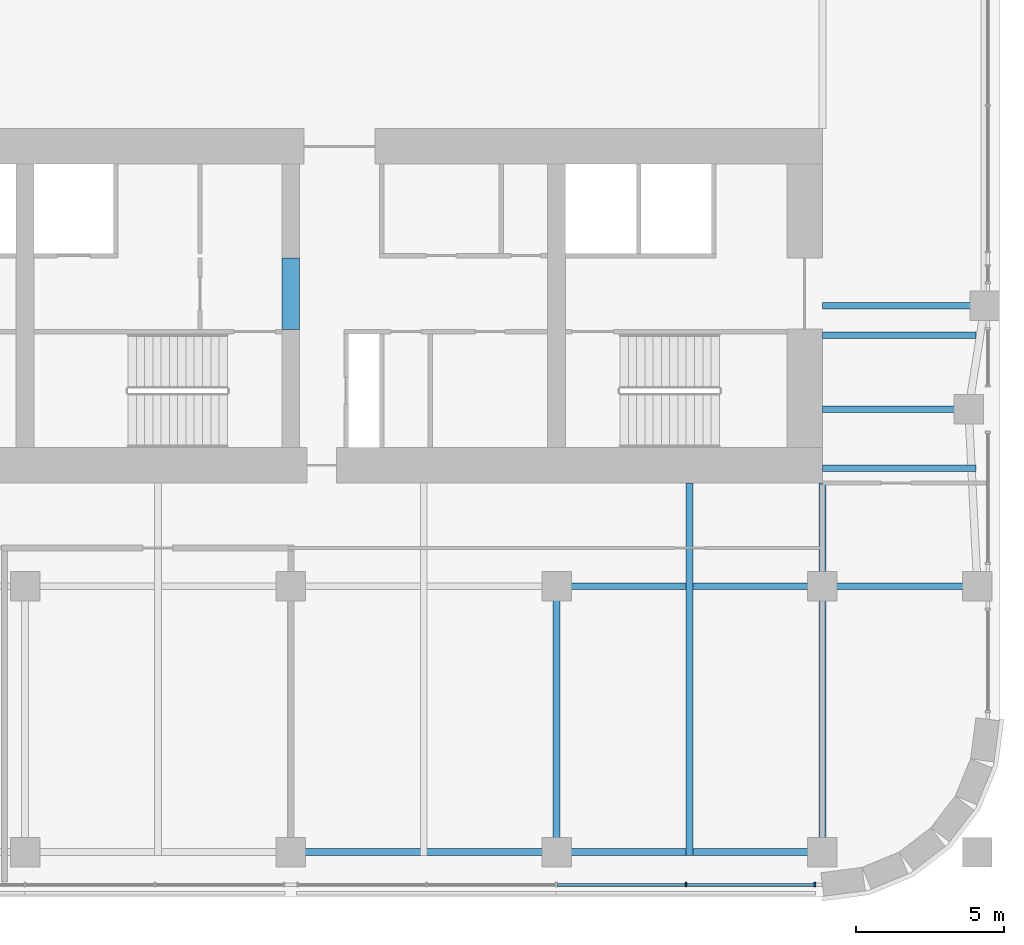
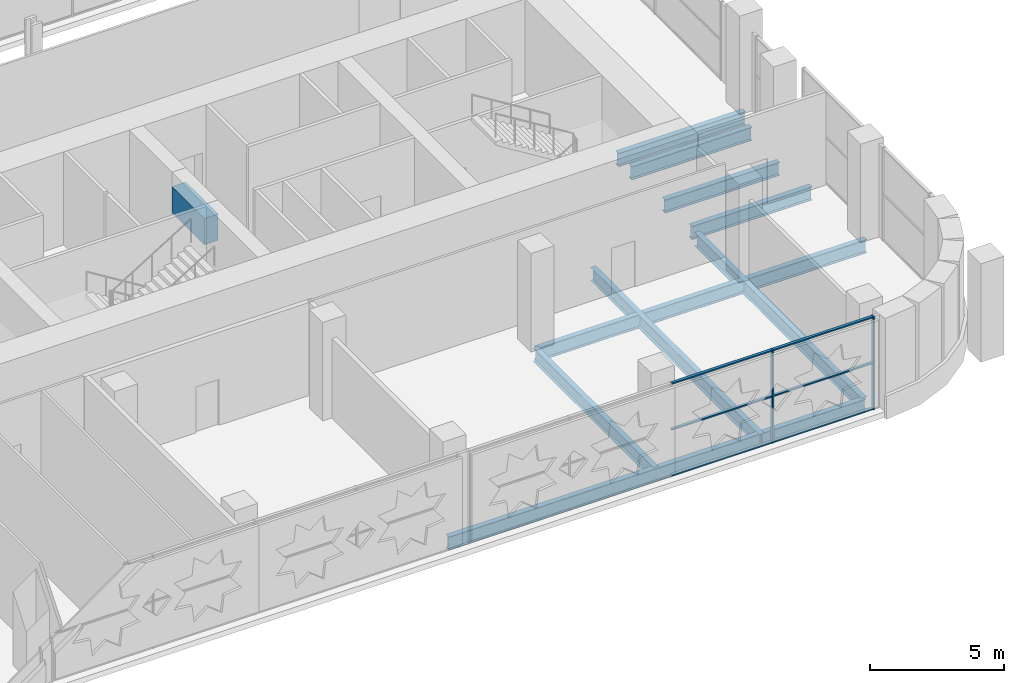
# One storey, part 6 of 21: 10 beams, 8 members, 1 element without a shape of its own.
"""IFC4 building model written with IfcOpenShell, lengths in metres."""

from ifc_helpers import new_model, si_unit, direction, frame, origin, origin_2d, place, context, subcontext, project, spatial, rectangle, i_section, extrude, material, material_profile, profile_set, type_object, element, aggregate, save


model = new_model("IFC4")

# Units and contexts
model_context = context("Model", 3, precision=1e-05, world=origin(), true_north=direction((0.0, 1.0)))
body_context = subcontext(model_context, "Body", "Model", "MODEL_VIEW")
ifc_project = project(units=[si_unit("LENGTHUNIT", "METRE"), si_unit("AREAUNIT", "SQUARE_METRE"), si_unit("VOLUMEUNIT", "CUBIC_METRE"), si_unit("PLANEANGLEUNIT", "RADIAN"), si_unit("MASSUNIT", "GRAM", prefix="KILO")], contexts=[model_context])

# Site, building, storey
site_placement = place(None, origin())
site = spatial("IfcSite", under=ifc_project, at=site_placement, CompositionType="ELEMENT")
building_placement = place(site_placement, origin())
building = spatial("IfcBuilding", under=site, at=building_placement, Name="Zellij Exchange Tower", CompositionType="ELEMENT")
storey_placement = place(building_placement, frame((0.0, 0.0, 43.5)))
storey = spatial("IfcBuildingStorey", under=building, at=storey_placement, Name="L07", CompositionType="ELEMENT", Elevation=43.5)

# Beam
ifc_material_1 = material(Name="Concrete C70/85", Category="concrete")
ifc_material_profile_1 = material_profile(ifc_material_1, rectangle(XDim=0.60009765625, YDim=1.199951171875, at=origin_2d()), Name="CORE-CB 600x1200 C70/85")
ifc_profile_set_1 = profile_set([ifc_material_profile_1], Name="Concrete C70/85")
beam_type_1 = type_object("IfcBeamType", Name="CORE-CB 600x1200 C70/85", PredefinedType="BEAM", material=ifc_profile_set_1)
beam_1_placement = place(storey_placement, frame((9.0, -8.800048828125, 3.0), z_axis=(0.0, 1.0, 0.0), x_axis=(-1.0, 0.0, 0.0)))
element("IfcBeam", 1, at=beam_1_placement, inside=storey, type_object=beam_type_1, Name="Core coupling beam x 9 L07", PredefinedType="BEAM", context=body_context, shape_type="SweptSolid", body=[
    extrude(rectangle(XDim=0.60009765625, YDim=1.199951171875, at=origin_2d()), origin(), (0.0, 0.0, 1.0), 2.425048828125),
])

# Curtain wall, members
ifc_material_2 = material(Name="Aluminium frame, clear insulating glass", Category="aluminium")
curtain_wall_type = type_object("IfcCurtainWallType", Name="ENV-CW1 Sky-garden glazing", PredefinedType="NOTDEFINED", material=ifc_material_2)
curtain_wall_placement = place(storey_placement, origin())
curtain_wall = element("IfcCurtainWall", 2, at=curtain_wall_placement, inside=storey, type_object=curtain_wall_type, Name="cw.L07.00c", PredefinedType="NOTDEFINED")
ifc_material_3 = material(Name="Aluminium", Category="aluminium")
ifc_material_profile_2 = material_profile(ifc_material_3, rectangle(XDim=0.06005859375, YDim=0.159912109375, at=origin_2d()), Name="AL 60x160")
ifc_profile_set_2 = profile_set([ifc_material_profile_2], Name="Aluminium")
member_type_1 = type_object("IfcMemberType", Name="ENV-CW1M Mullion 60x160", PredefinedType="MULLION", material=ifc_profile_set_2)
member_1_placement = place(storey_placement, frame((22.38037109375, -27.60009765625, 0.0), z_axis=(0.0, 0.0, 1.0), x_axis=(1.0, 0.0, 0.0)))
member_1 = element("IfcMember", 3, at=member_1_placement, type_object=member_type_1, Name="CW1 mullion 4", PredefinedType="MULLION", context=body_context, shape_type="SweptSolid", body=[
    extrude(rectangle(XDim=0.06005859375, YDim=0.159912109375, at=origin_2d()), origin(), (0.0, 0.0, 1.0), 4.25),
])
member_2_placement = place(storey_placement, frame((26.743896484375, -27.60009765625, 0.0), z_axis=(0.0, 0.0, 1.0), x_axis=(1.0, 0.0, 0.0)))
member_2 = element("IfcMember", 4, at=member_2_placement, type_object=member_type_1, Name="CW1 mullion 5", PredefinedType="MULLION", context=body_context, shape_type="SweptSolid", body=[
    extrude(rectangle(XDim=0.06005859375, YDim=0.159912109375, at=origin_2d()), origin(), (0.0, 0.0, 1.0), 4.25),
])
ifc_material_profile_3 = material_profile(ifc_material_3, rectangle(XDim=0.1201171875, YDim=0.06005859375, at=origin_2d()), Name="AL 120x60")
ifc_profile_set_3 = profile_set([ifc_material_profile_3], Name="Aluminium")
member_type_2 = type_object("IfcMemberType", Name="ENV-CW1T Transom 120x60", PredefinedType="USERDEFINED", material=ifc_profile_set_3)
member_3_placement = place(storey_placement, frame((18.016845703125, -27.60009765625, 0.030029296875), z_axis=(1.0, 0.0, 0.0), x_axis=(0.0, 1.0, 0.0)))
member_3 = element("IfcMember", 5, at=member_3_placement, type_object=member_type_2, Name="CW1 transom 3.1", ObjectType="TRANSOM", PredefinedType="USERDEFINED", context=body_context, shape_type="SweptSolid", body=[
    extrude(rectangle(XDim=0.1201171875, YDim=0.06005859375, at=origin_2d()), origin(), (0.0, 0.0, 1.0), 4.33349609375),
])
member_4_placement = place(storey_placement, frame((18.016845703125, -27.60009765625, 2.125), z_axis=(1.0, 0.0, 0.0), x_axis=(0.0, 1.0, 0.0)))
member_4 = element("IfcMember", 6, at=member_4_placement, type_object=member_type_2, Name="CW1 transom 3.2", ObjectType="TRANSOM", PredefinedType="USERDEFINED", context=body_context, shape_type="SweptSolid", body=[
    extrude(rectangle(XDim=0.1201171875, YDim=0.06005859375, at=origin_2d()), origin(), (0.0, 0.0, 1.0), 4.33349609375),
])
member_5_placement = place(storey_placement, frame((18.016845703125, -27.60009765625, 4.219970703125), z_axis=(1.0, 0.0, 0.0), x_axis=(0.0, 1.0, 0.0)))
member_5 = element("IfcMember", 7, at=member_5_placement, type_object=member_type_2, Name="CW1 transom 3.3", ObjectType="TRANSOM", PredefinedType="USERDEFINED", context=body_context, shape_type="SweptSolid", body=[
    extrude(rectangle(XDim=0.1201171875, YDim=0.06005859375, at=origin_2d()), origin(), (0.0, 0.0, 1.0), 4.33349609375),
])
member_6_placement = place(storey_placement, frame((22.410400390625, -27.60009765625, 0.030029296875), z_axis=(1.0, 0.0, 0.0), x_axis=(0.0, 1.0, 0.0)))
member_6 = element("IfcMember", 8, at=member_6_placement, type_object=member_type_2, Name="CW1 transom 4.1", ObjectType="TRANSOM", PredefinedType="USERDEFINED", context=body_context, shape_type="SweptSolid", body=[
    extrude(rectangle(XDim=0.1201171875, YDim=0.06005859375, at=origin_2d()), origin(), (0.0, 0.0, 1.0), 4.303466796875),
])
member_7_placement = place(storey_placement, frame((22.410400390625, -27.60009765625, 2.125), z_axis=(1.0, 0.0, 0.0), x_axis=(0.0, 1.0, 0.0)))
member_7 = element("IfcMember", 9, at=member_7_placement, type_object=member_type_2, Name="CW1 transom 4.2", ObjectType="TRANSOM", PredefinedType="USERDEFINED", context=body_context, shape_type="SweptSolid", body=[
    extrude(rectangle(XDim=0.1201171875, YDim=0.06005859375, at=origin_2d()), origin(), (0.0, 0.0, 1.0), 4.303466796875),
])
member_8_placement = place(storey_placement, frame((22.410400390625, -27.60009765625, 4.219970703125), z_axis=(1.0, 0.0, 0.0), x_axis=(0.0, 1.0, 0.0)))
member_8 = element("IfcMember", 10, at=member_8_placement, type_object=member_type_2, Name="CW1 transom 4.3", ObjectType="TRANSOM", PredefinedType="USERDEFINED", context=body_context, shape_type="SweptSolid", body=[
    extrude(rectangle(XDim=0.1201171875, YDim=0.06005859375, at=origin_2d()), origin(), (0.0, 0.0, 1.0), 4.303466796875),
])
aggregate(curtain_wall, [member_1, member_2, member_3, member_4, member_5, member_6, member_7, member_8])

# Beams
ifc_material_4 = material(Name="Structural steel ASTM A992 Gr 50", Category="steel")
ifc_material_profile_4 = material_profile(ifc_material_4, i_section(OverallWidth=0.22900390625, OverallDepth=0.612060546875, WebThickness=0.011962890625, FlangeThickness=0.01953125, at=origin_2d()), Name="W24x84")
ifc_profile_set_4 = profile_set([ifc_material_profile_4], Name="Structural steel ASTM A992 Gr 50")
beam_type_2 = type_object("IfcBeamType", Name="STR-BEAM W24x84", PredefinedType="BEAM", material=ifc_profile_set_4)
beam_2_placement = place(storey_placement, frame((22.5, -26.614501953125, -0.55615234375), z_axis=(0.0, 1.0, 0.0), x_axis=(-1.0, 0.0, 0.0)))
element("IfcBeam", 11, at=beam_2_placement, inside=storey, type_object=beam_type_2, Name="B6", PredefinedType="BEAM", context=body_context, shape_type="SweptSolid", body=[
    extrude(i_section(OverallWidth=0.22900390625, OverallDepth=0.612060546875, WebThickness=0.011962890625, FlangeThickness=0.01953125, at=origin_2d()), origin(), (0.0, 0.0, 1.0), 12.614501953125),
])
for number, where, z_axis, x_axis, name in (
    (12, (27.0, -13.5, -0.55615234375), (1.0, 0.0, 0.0), (0.0, 1.0, 0.0), "B6"),
    (13, (27.0, -9.0, -0.55615234375), (1.0, 0.0, 0.0), (0.0, 1.0, 0.0), "B6"),
):
    element("IfcBeam", number, at=place(storey_placement, frame(where, z_axis=z_axis, x_axis=x_axis)), inside=storey, type_object=beam_type_2, Name=name, PredefinedType="BEAM", context=body_context, shape_type="SweptSolid", body=[
        extrude(i_section(OverallWidth=0.22900390625, OverallDepth=0.612060546875, WebThickness=0.011962890625, FlangeThickness=0.01953125, at=origin_2d()), origin(), (0.0, 0.0, 1.0), 5.199951171875),
    ])
ifc_material_profile_5 = material_profile(ifc_material_4, i_section(OverallWidth=0.22900390625, OverallDepth=0.612060546875, WebThickness=0.011962890625, FlangeThickness=0.01953125, at=origin_2d()), Name="W24x84")
ifc_profile_set_5 = profile_set([ifc_material_profile_5], Name="Structural steel ASTM A992 Gr 50")
beam_type_3 = type_object("IfcBeamType", Name="STR-GIRDER W24x84", PredefinedType="BEAM", material=ifc_profile_set_5)
beam_3_placement = place(storey_placement, frame((9.0, -26.5, -0.55615234375), z_axis=(1.0, 0.0, 0.0), x_axis=(0.0, 1.0, 0.0)))
element("IfcBeam", 14, at=beam_3_placement, inside=storey, type_object=beam_type_3, Name="G4", PredefinedType="BEAM", context=body_context, shape_type="SweptSolid", body=[
    extrude(i_section(OverallWidth=0.22900390625, OverallDepth=0.612060546875, WebThickness=0.011962890625, FlangeThickness=0.01953125, at=origin_2d()), origin(), (0.0, 0.0, 1.0), 18.0),
])
beam_4_placement = place(storey_placement, frame((18.0, -17.5, -0.55615234375), z_axis=(1.0, 0.0, 0.0), x_axis=(0.0, 1.0, 0.0)))
element("IfcBeam", 15, at=beam_4_placement, inside=storey, type_object=beam_type_3, Name="G4", PredefinedType="BEAM", context=body_context, shape_type="SweptSolid", body=[
    extrude(i_section(OverallWidth=0.22900390625, OverallDepth=0.612060546875, WebThickness=0.011962890625, FlangeThickness=0.01953125, at=origin_2d()), origin(), (0.0, 0.0, 1.0), 14.25),
])
beam_5_placement = place(storey_placement, frame((27.0, -11.5, -0.55615234375), z_axis=(1.0, 0.0, 0.0), x_axis=(0.0, 1.0, 0.0)))
element("IfcBeam", 16, at=beam_5_placement, inside=storey, type_object=beam_type_3, Name="G4", PredefinedType="BEAM", context=body_context, shape_type="SweptSolid", body=[
    extrude(i_section(OverallWidth=0.22900390625, OverallDepth=0.612060546875, WebThickness=0.011962890625, FlangeThickness=0.01953125, at=origin_2d()), origin(), (0.0, 0.0, 1.0), 4.949951171875),
])
beam_6_placement = place(storey_placement, frame((27.0, -8.0, -0.55615234375), z_axis=(1.0, 0.0, 0.0), x_axis=(0.0, 1.0, 0.0)))
element("IfcBeam", 17, at=beam_6_placement, inside=storey, type_object=beam_type_3, Name="G4", PredefinedType="BEAM", context=body_context, shape_type="SweptSolid", body=[
    extrude(i_section(OverallWidth=0.22900390625, OverallDepth=0.612060546875, WebThickness=0.011962890625, FlangeThickness=0.01953125, at=origin_2d()), origin(), (0.0, 0.0, 1.0), 5.5),
])
beam_7_placement = place(storey_placement, frame((18.0, -26.5, -0.55615234375), z_axis=(0.0, 1.0, 0.0), x_axis=(-1.0, 0.0, 0.0)))
element("IfcBeam", 18, at=beam_7_placement, inside=storey, type_object=beam_type_3, Name="G4", PredefinedType="BEAM", context=body_context, shape_type="SweptSolid", body=[
    extrude(i_section(OverallWidth=0.22900390625, OverallDepth=0.612060546875, WebThickness=0.011962890625, FlangeThickness=0.01953125, at=origin_2d()), origin(), (0.0, 0.0, 1.0), 9.0),
])
beam_8_placement = place(storey_placement, frame((27.0, -26.5, -0.55615234375), z_axis=(0.0, 1.0, 0.0), x_axis=(-1.0, 0.0, 0.0)))
element("IfcBeam", 19, at=beam_8_placement, inside=storey, type_object=beam_type_3, Name="G4", PredefinedType="BEAM", context=body_context, shape_type="SweptSolid", body=[
    extrude(i_section(OverallWidth=0.22900390625, OverallDepth=0.612060546875, WebThickness=0.011962890625, FlangeThickness=0.01953125, at=origin_2d()), origin(), (0.0, 0.0, 1.0), 12.5),
])

save(model, "model.ifc")
